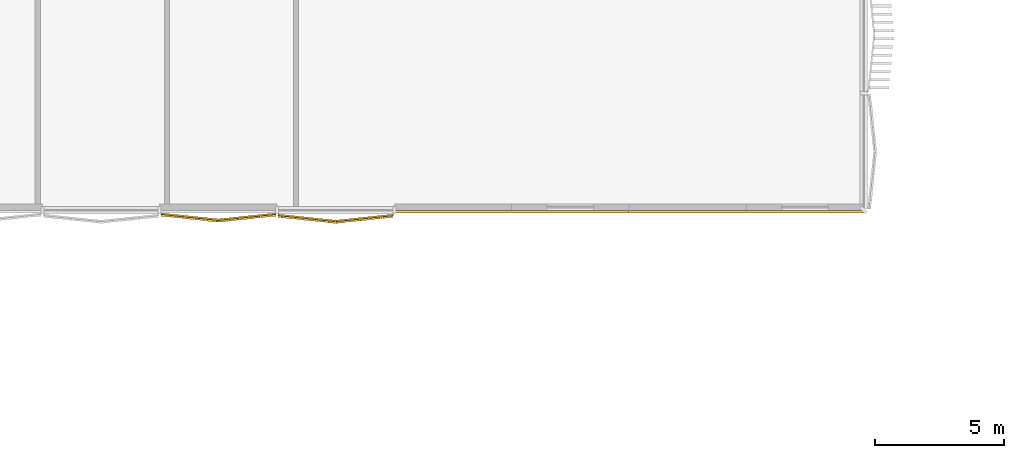
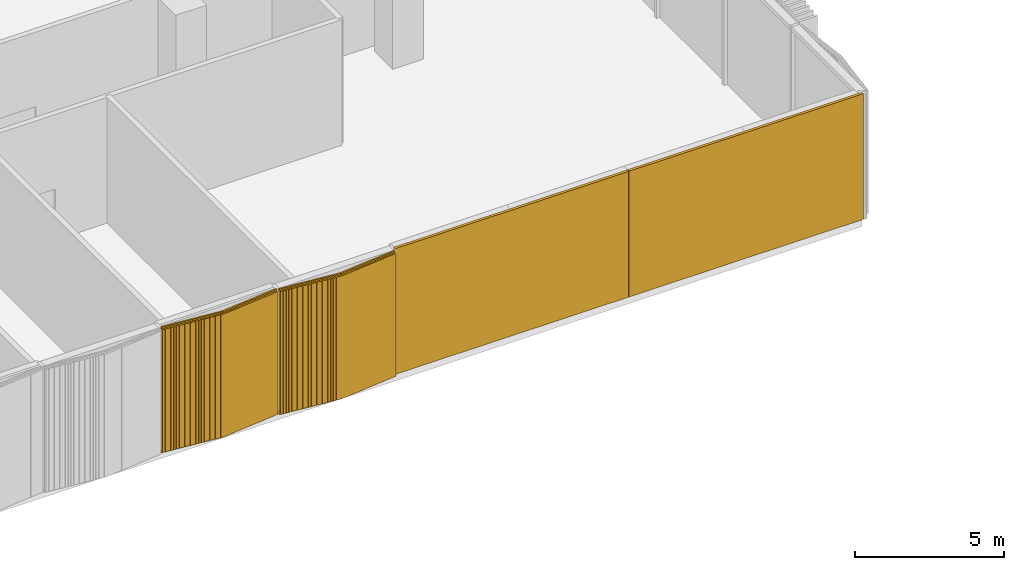
# One storey, part 23 of 31: 4 coverings.
"""IFC4 building model written with IfcOpenShell, lengths in metres."""

import ifcopenshell
import ifcopenshell.guid

model = None  # the IFC model being written
_history = None  # IfcOwnerHistory: only IFC2X3 demands one
_inside = {}  # id of a spatial element -> (the spatial element, [elements in it])
_under = {}  # id of a project, library or spatial element -> (it, [spatial elements below it])
_declared = {}  # id of a project -> (the project, [libraries it declares])
_typed = {}  # id of a type object -> (the type object, [elements of that type])
_made_of = {}  # id of a material, layer set ... -> (it, [elements and type objects made of it])


def new_model(schema):
    """Start an empty IFC model of exactly this schema.

    Asked for "IFC4X3", IfcOpenShell would pick the latest addendum, in which some entities
    have other attributes; the version numbers below select the first issue.
    IFC2X3 requires an IfcOwnerHistory on every rooted entity: one is made here for all.
    """
    global model, _history
    if schema == "IFC4X3":
        model = ifcopenshell.file(schema_version=(4, 3, 0, 0))
    else:
        model = ifcopenshell.file(schema=schema)
    _inside.clear()
    _under.clear()
    _declared.clear()
    _typed.clear()
    _made_of.clear()
    _history = None
    if model.schema == "IFC2X3":
        org = make("IfcOrganization", Name="unknown")
        user = make(
            "IfcPersonAndOrganization",
            ThePerson=make("IfcPerson", FamilyName="unknown"),
            TheOrganization=org,
        )
        app = make(
            "IfcApplication",
            ApplicationDeveloper=org,
            Version="unknown",
            ApplicationFullName="unknown",
            ApplicationIdentifier="unknown",
        )
        _history = make(
            "IfcOwnerHistory",
            OwningUser=user,
            OwningApplication=app,
            ChangeAction="ADDED",
            CreationDate=0,
        )
    return model


def make(cls, **values):
    """One entity of the class cls with the attributes given. An attribute that is None is left unset."""
    return model.create_entity(
        cls, **{name: value for name, value in values.items() if value is not None}
    )


def rooted(cls, **values):
    """An entity with a GlobalId (a new one), such as an element, a storey or a relation."""
    return make(cls, GlobalId=ifcopenshell.guid.new(), OwnerHistory=_history, **values)


def si_unit(unit_type, name, prefix=None):
    """IfcSIUnit, for example si_unit("LENGTHUNIT", "METRE", prefix="MILLI")."""
    return make("IfcSIUnit", UnitType=unit_type, Prefix=prefix, Name=name)


def assignment(units):
    """IfcUnitAssignment: the units of a project."""
    return None if units is None else make("IfcUnitAssignment", Units=units)


def point(xyz):
    """IfcCartesianPoint."""
    return None if xyz is None else make("IfcCartesianPoint", Coordinates=xyz)


def direction(xyz):
    """IfcDirection."""
    return None if xyz is None else make("IfcDirection", DirectionRatios=xyz)


def frame(location, z_axis=None, x_axis=None):
    """IfcAxis2Placement3D, a coordinate frame: its origin and axes. An axis left out is left unset."""
    return make(
        "IfcAxis2Placement3D",
        Location=point(location),
        Axis=direction(z_axis),
        RefDirection=direction(x_axis),
    )


def frame_2d(location, x_axis=None):
    """IfcAxis2Placement2D, a coordinate frame in the plane: its origin and x axis."""
    return make(
        "IfcAxis2Placement2D", Location=point(location), RefDirection=direction(x_axis)
    )


def origin():
    """The frame at (0, 0, 0) with its axes left unset."""
    return frame((0.0, 0.0, 0.0))


def origin_2d():
    """The frame at (0, 0) in the plane with its x axis left unset."""
    return frame_2d((0.0, 0.0))


def place(relative_to, where):
    """IfcLocalPlacement: puts the frame where relative to a parent placement (None: the world)."""
    return make(
        "IfcLocalPlacement", PlacementRelTo=relative_to, RelativePlacement=where
    )


def context(
    kind, dimensions, precision=None, world=None, true_north=None, identifier=None
):
    """IfcGeometricRepresentationContext, for example the 3D "Model" context."""
    return make(
        "IfcGeometricRepresentationContext",
        ContextIdentifier=identifier,
        ContextType=kind,
        CoordinateSpaceDimension=dimensions,
        Precision=precision,
        WorldCoordinateSystem=world,
        TrueNorth=true_north,
    )


def subcontext(parent, identifier, kind, view, scale=None):
    """IfcGeometricRepresentationSubContext, for example "Body" below "Model"."""
    return make(
        "IfcGeometricRepresentationSubContext",
        ContextIdentifier=identifier,
        ContextType=kind,
        ParentContext=parent,
        TargetScale=scale,
        TargetView=view,
    )


def project(units=None, contexts=None):
    """IfcProject with its units and contexts."""
    return rooted(
        "IfcProject",
        Name="project",
        RepresentationContexts=contexts,
        UnitsInContext=assignment(units),
    )


def spatial(cls, under=None, at=None, **own):
    """A site, building, storey or space (cls), placed at a placement, below another one or the project."""
    s = rooted(cls, ObjectPlacement=at, **own)
    if under is not None:
        _under.setdefault(under.id(), (under, []))[1].append(s)
    return s


def profile(cls, at=None, kind="AREA", **sizes):
    """A parametric profile (cls). Its sizes go by their IFC names, for example OverallWidth=200.0."""
    return make(cls, ProfileType=kind, Position=at, **sizes)


def rectangle(**sizes):
    """IfcRectangleProfileDef."""
    return profile("IfcRectangleProfileDef", **sizes)


def extrude(swept, where, along, depth):
    """IfcExtrudedAreaSolid: the profile swept, set in the frame where, extruded along a direction by depth."""
    return make(
        "IfcExtrudedAreaSolid",
        SweptArea=swept,
        Position=where,
        ExtrudedDirection=direction(along),
        Depth=depth,
    )


def shape(context_of_items, identifier, shape_type, items):
    """IfcShapeRepresentation: the items that make up one representation, for example the "Body"."""
    return make(
        "IfcShapeRepresentation",
        ContextOfItems=context_of_items,
        RepresentationIdentifier=identifier,
        RepresentationType=shape_type,
        Items=items,
    )


def source(mapping_origin, context_of_items, identifier, shape_type, items):
    """IfcRepresentationMap: a shape defined once, which mapped items show again and again."""
    return make(
        "IfcRepresentationMap",
        MappingOrigin=mapping_origin,
        MappedRepresentation=shape(context_of_items, identifier, shape_type, items),
    )


def transform(
    local_origin,
    x_axis=None,
    y_axis=None,
    z_axis=None,
    scale=None,
    scale2=None,
    scale3=None,
    uniform=True,
):
    """IfcCartesianTransformationOperator3D, or its non-uniform kind. x_axis, y_axis, z_axis: its Axis1, 2, 3."""
    if uniform:
        return make(
            "IfcCartesianTransformationOperator3D",
            Axis1=direction(x_axis),
            Axis2=direction(y_axis),
            LocalOrigin=point(local_origin),
            Scale=scale,
            Axis3=direction(z_axis),
        )
    return make(
        "IfcCartesianTransformationOperator3DnonUniform",
        Axis1=direction(x_axis),
        Axis2=direction(y_axis),
        LocalOrigin=point(local_origin),
        Scale=scale,
        Axis3=direction(z_axis),
        Scale2=scale2,
        Scale3=scale3,
    )


def mapped(mapping_source, mapping_target):
    """IfcMappedItem: shows the shape of a source again, moved by a transform."""
    return make(
        "IfcMappedItem", MappingSource=mapping_source, MappingTarget=mapping_target
    )


def material(Name=None, Category=None):
    """IfcMaterial."""
    return make("IfcMaterial", Name=Name, Category=Category)


def layer(
    of_material, thickness, ventilated=None, Name=None, Category=None, Priority=None
):
    """IfcMaterialLayer: one layer of a wall or slab, of a material (None: an air gap)."""
    return make(
        "IfcMaterialLayer",
        Material=of_material,
        LayerThickness=thickness,
        IsVentilated=ventilated,
        Name=Name,
        Category=Category,
        Priority=Priority,
    )


def layer_set(layers, Name=None):
    """IfcMaterialLayerSet."""
    return make("IfcMaterialLayerSet", MaterialLayers=layers, LayerSetName=Name)


def made_of(thing, what):
    """Note that an element or type object is made of a material, layer set ...; save() writes the relation."""
    if what is not None:
        _made_of.setdefault(what.id(), (what, []))[1].append(thing)
    return thing


def type_object(cls, material=None, **own):
    """A type object (cls), such as IfcWallType, which elements share."""
    return made_of(rooted(cls, **own), material)


def element(
    cls,
    number,
    at=None,
    inside=None,
    cuts=None,
    type_object=None,
    material=None,
    context=None,
    identifier="Body",
    shape_type=None,
    held_by="IfcProductDefinitionShape",
    body=None,
    shapes=None,
    **own,
):
    """One element of the class cls, such as IfcWall. Its Tag is "e" and its number.

    at: its placement. inside: the storey or other place that contains it. cuts: it is an
    opening in that element (IfcRelVoidsElement). A single representation is given by context,
    identifier, shape_type and body (its items); several are given by shapes. held_by: the class
    of the entity that holds the representations. save() writes the other relations.
    """
    e = rooted(cls, Tag="e%d" % number, ObjectPlacement=at, **own)
    if body is not None:
        shapes = [shape(context, identifier, shape_type, body)]
    if shapes is not None:
        e.Representation = make(held_by, Representations=shapes)
    if inside is not None:
        _inside.setdefault(inside.id(), (inside, []))[1].append(e)
    if cuts is not None:
        rooted(
            "IfcRelVoidsElement", RelatingBuildingElement=cuts, RelatedOpeningElement=e
        )
    if type_object is not None:
        _typed.setdefault(type_object.id(), (type_object, []))[1].append(e)
    return made_of(e, material)


def aggregate(whole, parts):
    """IfcRelAggregates: a whole, such as a stair, and the parts it consists of."""
    return rooted("IfcRelAggregates", RelatingObject=whole, RelatedObjects=parts)


def save(model, path):
    """Write the relations noted so far, then the file.

    IfcRelAggregates (storeys below a building ...), IfcRelContainedInSpatialStructure (elements
    in a storey), IfcRelDefinesByType, IfcRelAssociatesMaterial and IfcRelDeclares: one each for
    every whole, place, type object, material and project.
    """
    for whole, parts in _under.values():
        aggregate(whole, parts)
    for where, things in _inside.values():
        rooted(
            "IfcRelContainedInSpatialStructure",
            RelatedElements=things,
            RelatingStructure=where,
        )
    for kind, things in _typed.values():
        rooted("IfcRelDefinesByType", RelatedObjects=things, RelatingType=kind)
    for what, things in _made_of.values():
        rooted("IfcRelAssociatesMaterial", RelatedObjects=things, RelatingMaterial=what)
    for by, libraries in _declared.values():
        rooted("IfcRelDeclares", RelatingContext=by, RelatedDefinitions=libraries)
    model.write(path)


model = new_model("IFC4")

# Units and contexts
model_context = context("Model", 3, precision=1e-05, world=origin(), true_north=direction((0.0, 1.0)))
body_context = subcontext(model_context, "Body", "Model", "MODEL_VIEW")
ifc_project = project(units=[si_unit("LENGTHUNIT", "METRE"), si_unit("AREAUNIT", "SQUARE_METRE"), si_unit("VOLUMEUNIT", "CUBIC_METRE"), si_unit("PLANEANGLEUNIT", "RADIAN"), si_unit("MASSUNIT", "GRAM", prefix="KILO")], contexts=[model_context])

# Site, building, storey
site_placement = place(None, origin())
site = spatial("IfcSite", under=ifc_project, at=site_placement, CompositionType="ELEMENT")
building_placement = place(site_placement, origin())
building = spatial("IfcBuilding", under=site, at=building_placement, Name="Tamra Quay Hotel Tower", CompositionType="ELEMENT")
storey_placement = place(building_placement, frame((0.0, 0.0, 14.0)))
storey = spatial("IfcBuildingStorey", under=building, at=storey_placement, Name="L02", CompositionType="ELEMENT", Elevation=14.0)

# Coverings
ifc_material_1 = material(Name="Precast concrete M60 terracotta-coloured pierced relief", Category="masonry")
ifc_layer = layer(ifc_material_1, 0.10009765625)
ifc_layer_set = layer_set([ifc_layer], Name="PIERCED RELIEF PANEL 100")
covering_type_1 = type_object("IfcCoveringType", Name="PIERCED RELIEF PANEL 100", PredefinedType="CLADDING", material=ifc_layer_set)
for number, where, z_axis, x_axis, name in (
    (1, (-43.638427734375, -32.050048828125, 0.0), (0.0, 0.0, 1.0), (1.0, 0.0, 0.0), "Relief panel L02.SW.19"),
    (2, (-34.546142578125, -32.050048828125, 0.0), (0.0, 0.0, 1.0), (1.0, 0.0, 0.0), "Relief panel L02.SW.21"),
):
    element("IfcCovering", number, at=place(storey_placement, frame(where, z_axis=z_axis, x_axis=x_axis)), inside=storey, type_object=covering_type_1, Name=name, PredefinedType="CLADDING", context=body_context, shape_type="SweptSolid", body=[
        extrude(rectangle(XDim=9.072265625, YDim=0.10009765625, at=origin_2d()), origin(), (0.0, 0.0, 1.0), 5.14990234375),
    ])
ifc_material_2 = material(Name="Terracotta baguette extruded", Category="masonry")
covering_type_2 = type_object("IfcCoveringType", Name="BAGUETTE SCREEN PODIUM-SHALLOW H5150", PredefinedType="USERDEFINED", material=ifc_material_2)
shared_shape_1 = source(origin(), body_context, "Body", "SweptSolid", [
    extrude(rectangle(XDim=2.244873046875, YDim=0.06005859375, at=frame_2d((1.12255859375, 0.030029296875))), frame((-2.23876953125, -0.0576171875, -0.1201171875), z_axis=(0.0, 0.0, 1.0), x_axis=(0.994521895368, -0.104528463268, 0.0)), (0.0, 0.0, 1.0), 0.1201171875),
    extrude(rectangle(XDim=2.244873046875, YDim=0.06005859375, at=frame_2d((1.12255859375, 0.030029296875))), frame((-2.23876953125, -0.0576171875, -5.14990234375), z_axis=(0.0, 0.0, 1.0), x_axis=(0.994521895368, -0.104528463268, 0.0)), (0.0, 0.0, 1.0), 0.1201171875),
    extrude(rectangle(XDim=0.094970703125, YDim=0.10009765625, at=frame_2d((0.04736328125, 0.050048828125))), frame((-2.229248046875, -0.13330078125, -5.090087890625)), (0.0, 0.0, 1.0), 5.030029296875),
    extrude(rectangle(XDim=0.094970703125, YDim=0.10009765625, at=frame_2d((0.04736328125, 0.050048828125))), frame((-2.127685546875, -0.14404296875, -5.090087890625)), (0.0, 0.0, 1.0), 5.030029296875),
    extrude(rectangle(XDim=0.094970703125, YDim=0.10009765625, at=frame_2d((0.04736328125, 0.050048828125))), frame((-2.0263671875, -0.154541015625, -5.090087890625)), (0.0, 0.0, 1.0), 5.030029296875),
    extrude(rectangle(XDim=0.094970703125, YDim=0.10009765625, at=frame_2d((0.04736328125, 0.050048828125))), frame((-1.9248046875, -0.165283203125, -5.090087890625)), (0.0, 0.0, 1.0), 5.030029296875),
    extrude(rectangle(XDim=0.094970703125, YDim=0.10009765625, at=frame_2d((0.04736328125, 0.050048828125))), frame((-1.8232421875, -0.176025390625, -5.090087890625)), (0.0, 0.0, 1.0), 5.030029296875),
    extrude(rectangle(XDim=0.094970703125, YDim=0.10009765625, at=frame_2d((0.04736328125, 0.050048828125))), frame((-1.721923828125, -0.186767578125, -5.090087890625)), (0.0, 0.0, 1.0), 5.030029296875),
    extrude(rectangle(XDim=0.094970703125, YDim=0.10009765625, at=frame_2d((0.04736328125, 0.050048828125))), frame((-1.620361328125, -0.197265625, -5.090087890625)), (0.0, 0.0, 1.0), 5.030029296875),
    extrude(rectangle(XDim=0.094970703125, YDim=0.10009765625, at=frame_2d((0.04736328125, 0.050048828125))), frame((-1.518798828125, -0.2080078125, -5.090087890625)), (0.0, 0.0, 1.0), 5.030029296875),
    extrude(rectangle(XDim=0.094970703125, YDim=0.10009765625, at=frame_2d((0.04736328125, 0.050048828125))), frame((-1.41748046875, -0.21875, -5.090087890625)), (0.0, 0.0, 1.0), 5.030029296875),
    extrude(rectangle(XDim=0.094970703125, YDim=0.10009765625, at=frame_2d((0.04736328125, 0.050048828125))), frame((-1.31591796875, -0.229248046875, -5.090087890625)), (0.0, 0.0, 1.0), 5.030029296875),
    extrude(rectangle(XDim=0.094970703125, YDim=0.10009765625, at=frame_2d((0.04736328125, 0.050048828125))), frame((-1.214599609375, -0.239990234375, -5.090087890625)), (0.0, 0.0, 1.0), 5.030029296875),
    extrude(rectangle(XDim=0.094970703125, YDim=0.10009765625, at=frame_2d((0.04736328125, 0.050048828125))), frame((-1.113037109375, -0.250732421875, -5.090087890625)), (0.0, 0.0, 1.0), 5.030029296875),
    extrude(rectangle(XDim=0.094970703125, YDim=0.10009765625, at=frame_2d((0.04736328125, 0.050048828125))), frame((-1.011474609375, -0.26123046875, -5.090087890625)), (0.0, 0.0, 1.0), 5.030029296875),
    extrude(rectangle(XDim=0.094970703125, YDim=0.10009765625, at=frame_2d((0.04736328125, 0.050048828125))), frame((-0.91015625, -0.27197265625, -5.090087890625)), (0.0, 0.0, 1.0), 5.030029296875),
    extrude(rectangle(XDim=0.094970703125, YDim=0.10009765625, at=frame_2d((0.04736328125, 0.050048828125))), frame((-0.80859375, -0.28271484375, -5.090087890625)), (0.0, 0.0, 1.0), 5.030029296875),
    extrude(rectangle(XDim=0.094970703125, YDim=0.10009765625, at=frame_2d((0.04736328125, 0.050048828125))), frame((-0.70703125, -0.293212890625, -5.090087890625)), (0.0, 0.0, 1.0), 5.030029296875),
    extrude(rectangle(XDim=0.094970703125, YDim=0.10009765625, at=frame_2d((0.04736328125, 0.050048828125))), frame((-0.605712890625, -0.303955078125, -5.090087890625)), (0.0, 0.0, 1.0), 5.030029296875),
    extrude(rectangle(XDim=0.094970703125, YDim=0.10009765625, at=frame_2d((0.04736328125, 0.050048828125))), frame((-0.504150390625, -0.314697265625, -5.090087890625)), (0.0, 0.0, 1.0), 5.030029296875),
    extrude(rectangle(XDim=0.094970703125, YDim=0.10009765625, at=frame_2d((0.04736328125, 0.050048828125))), frame((-0.402587890625, -0.325439453125, -5.090087890625)), (0.0, 0.0, 1.0), 5.030029296875),
    extrude(rectangle(XDim=0.094970703125, YDim=0.10009765625, at=frame_2d((0.04736328125, 0.050048828125))), frame((-0.30126953125, -0.3359375, -5.090087890625)), (0.0, 0.0, 1.0), 5.030029296875),
    extrude(rectangle(XDim=0.094970703125, YDim=0.10009765625, at=frame_2d((0.04736328125, 0.050048828125))), frame((-0.19970703125, -0.3466796875, -5.090087890625)), (0.0, 0.0, 1.0), 5.030029296875),
    extrude(rectangle(XDim=0.094970703125, YDim=0.10009765625, at=frame_2d((0.04736328125, 0.050048828125))), frame((-0.09814453125, -0.357421875, -5.090087890625)), (0.0, 0.0, 1.0), 5.030029296875),
    extrude(rectangle(XDim=2.244873046875, YDim=0.06005859375, at=frame_2d((1.12255859375, 0.030029296875))), frame((0.00634765625, -0.292236328125, -0.1201171875), z_axis=(0.0, 0.0, 1.0), x_axis=(0.994521895368, 0.104528463268, 0.0)), (0.0, 0.0, 1.0), 0.1201171875),
    extrude(rectangle(XDim=2.244873046875, YDim=0.06005859375, at=frame_2d((1.12255859375, 0.030029296875))), frame((0.00634765625, -0.292236328125, -5.14990234375), z_axis=(0.0, 0.0, 1.0), x_axis=(0.994521895368, 0.104528463268, 0.0)), (0.0, 0.0, 1.0), 0.1201171875),
    extrude(rectangle(XDim=0.094970703125, YDim=0.10009765625, at=frame_2d((0.04736328125, 0.050048828125))), frame((0.003173828125, -0.357421875, -5.090087890625)), (0.0, 0.0, 1.0), 5.030029296875),
    extrude(rectangle(XDim=0.094970703125, YDim=0.10009765625, at=frame_2d((0.04736328125, 0.050048828125))), frame((0.104736328125, -0.3466796875, -5.090087890625)), (0.0, 0.0, 1.0), 5.030029296875),
    extrude(rectangle(XDim=0.094970703125, YDim=0.10009765625, at=frame_2d((0.04736328125, 0.050048828125))), frame((0.206298828125, -0.3359375, -5.090087890625)), (0.0, 0.0, 1.0), 5.030029296875),
    extrude(rectangle(XDim=0.094970703125, YDim=0.10009765625, at=frame_2d((0.04736328125, 0.050048828125))), frame((0.3076171875, -0.325439453125, -5.090087890625)), (0.0, 0.0, 1.0), 5.030029296875),
    extrude(rectangle(XDim=0.094970703125, YDim=0.10009765625, at=frame_2d((0.04736328125, 0.050048828125))), frame((0.4091796875, -0.314697265625, -5.090087890625)), (0.0, 0.0, 1.0), 5.030029296875),
    extrude(rectangle(XDim=0.094970703125, YDim=0.10009765625, at=frame_2d((0.04736328125, 0.050048828125))), frame((0.510498046875, -0.303955078125, -5.090087890625)), (0.0, 0.0, 1.0), 5.030029296875),
    extrude(rectangle(XDim=0.094970703125, YDim=0.10009765625, at=frame_2d((0.04736328125, 0.050048828125))), frame((0.612060546875, -0.293212890625, -5.090087890625)), (0.0, 0.0, 1.0), 5.030029296875),
    extrude(rectangle(XDim=0.094970703125, YDim=0.10009765625, at=frame_2d((0.04736328125, 0.050048828125))), frame((0.713623046875, -0.28271484375, -5.090087890625)), (0.0, 0.0, 1.0), 5.030029296875),
    extrude(rectangle(XDim=0.094970703125, YDim=0.10009765625, at=frame_2d((0.04736328125, 0.050048828125))), frame((0.81494140625, -0.27197265625, -5.090087890625)), (0.0, 0.0, 1.0), 5.030029296875),
    extrude(rectangle(XDim=0.094970703125, YDim=0.10009765625, at=frame_2d((0.04736328125, 0.050048828125))), frame((0.91650390625, -0.26123046875, -5.090087890625)), (0.0, 0.0, 1.0), 5.030029296875),
    extrude(rectangle(XDim=0.094970703125, YDim=0.10009765625, at=frame_2d((0.04736328125, 0.050048828125))), frame((1.01806640625, -0.250732421875, -5.090087890625)), (0.0, 0.0, 1.0), 5.030029296875),
    extrude(rectangle(XDim=0.094970703125, YDim=0.10009765625, at=frame_2d((0.04736328125, 0.050048828125))), frame((1.119384765625, -0.239990234375, -5.090087890625)), (0.0, 0.0, 1.0), 5.030029296875),
    extrude(rectangle(XDim=0.094970703125, YDim=0.10009765625, at=frame_2d((0.04736328125, 0.050048828125))), frame((1.220947265625, -0.229248046875, -5.090087890625)), (0.0, 0.0, 1.0), 5.030029296875),
    extrude(rectangle(XDim=0.094970703125, YDim=0.10009765625, at=frame_2d((0.04736328125, 0.050048828125))), frame((1.322509765625, -0.21875, -5.090087890625)), (0.0, 0.0, 1.0), 5.030029296875),
    extrude(rectangle(XDim=0.094970703125, YDim=0.10009765625, at=frame_2d((0.04736328125, 0.050048828125))), frame((1.423828125, -0.2080078125, -5.090087890625)), (0.0, 0.0, 1.0), 5.030029296875),
    extrude(rectangle(XDim=0.094970703125, YDim=0.10009765625, at=frame_2d((0.04736328125, 0.050048828125))), frame((1.525390625, -0.197265625, -5.090087890625)), (0.0, 0.0, 1.0), 5.030029296875),
    extrude(rectangle(XDim=0.094970703125, YDim=0.10009765625, at=frame_2d((0.04736328125, 0.050048828125))), frame((1.626953125, -0.186767578125, -5.090087890625)), (0.0, 0.0, 1.0), 5.030029296875),
    extrude(rectangle(XDim=0.094970703125, YDim=0.10009765625, at=frame_2d((0.04736328125, 0.050048828125))), frame((1.728271484375, -0.176025390625, -5.090087890625)), (0.0, 0.0, 1.0), 5.030029296875),
    extrude(rectangle(XDim=0.094970703125, YDim=0.10009765625, at=frame_2d((0.04736328125, 0.050048828125))), frame((1.829833984375, -0.165283203125, -5.090087890625)), (0.0, 0.0, 1.0), 5.030029296875),
    extrude(rectangle(XDim=0.094970703125, YDim=0.10009765625, at=frame_2d((0.04736328125, 0.050048828125))), frame((1.931396484375, -0.154541015625, -5.090087890625)), (0.0, 0.0, 1.0), 5.030029296875),
    extrude(rectangle(XDim=0.094970703125, YDim=0.10009765625, at=frame_2d((0.04736328125, 0.050048828125))), frame((2.03271484375, -0.14404296875, -5.090087890625)), (0.0, 0.0, 1.0), 5.030029296875),
    extrude(rectangle(XDim=0.094970703125, YDim=0.10009765625, at=frame_2d((0.04736328125, 0.050048828125))), frame((2.13427734375, -0.13330078125, -5.090087890625)), (0.0, 0.0, 1.0), 5.030029296875),
])
covering_1_placement = place(storey_placement, frame((-50.457763671875, -32.14794921875, 5.14990234375), z_axis=(0.0, 0.0, 1.0), x_axis=(1.0, 0.0, 0.0)))
element("IfcCovering", 3, at=covering_1_placement, inside=storey, type_object=covering_type_2, Name="Baguette screen L02.SW.f03", ObjectType="BAGUETTE SCREEN", PredefinedType="USERDEFINED", context=body_context, shape_type="MappedRepresentation", body=[
    mapped(shared_shape_1, transform((0.0, 0.0, 0.0), scale=1.0)),
])
covering_type_3 = type_object("IfcCoveringType", Name="BAGUETTE SCREEN SW-SHALLOW H5150", PredefinedType="USERDEFINED", material=ifc_material_2)
shared_shape_2 = source(origin(), body_context, "Body", "SweptSolid", [
    extrude(rectangle(XDim=2.244873046875, YDim=0.06005859375, at=frame_2d((1.12255859375, 0.030029296875))), frame((-2.23876953125, -0.0576171875, -0.1201171875), z_axis=(0.0, 0.0, 1.0), x_axis=(0.994521895368, -0.104528463268, 0.0)), (0.0, 0.0, 1.0), 0.1201171875),
    extrude(rectangle(XDim=2.244873046875, YDim=0.06005859375, at=frame_2d((1.12255859375, 0.030029296875))), frame((-2.23876953125, -0.0576171875, -5.14990234375), z_axis=(0.0, 0.0, 1.0), x_axis=(0.994521895368, -0.104528463268, 0.0)), (0.0, 0.0, 1.0), 0.1201171875),
    extrude(rectangle(XDim=0.094970703125, YDim=0.10009765625, at=frame_2d((0.04736328125, 0.050048828125))), frame((-2.229248046875, -0.13330078125, -5.090087890625)), (0.0, 0.0, 1.0), 5.030029296875),
    extrude(rectangle(XDim=0.094970703125, YDim=0.10009765625, at=frame_2d((0.04736328125, 0.050048828125))), frame((-2.127685546875, -0.14404296875, -5.090087890625)), (0.0, 0.0, 1.0), 5.030029296875),
    extrude(rectangle(XDim=0.094970703125, YDim=0.10009765625, at=frame_2d((0.04736328125, 0.050048828125))), frame((-2.0263671875, -0.154541015625, -5.090087890625)), (0.0, 0.0, 1.0), 5.030029296875),
    extrude(rectangle(XDim=0.094970703125, YDim=0.10009765625, at=frame_2d((0.04736328125, 0.050048828125))), frame((-1.9248046875, -0.165283203125, -5.090087890625)), (0.0, 0.0, 1.0), 5.030029296875),
    extrude(rectangle(XDim=0.094970703125, YDim=0.10009765625, at=frame_2d((0.04736328125, 0.050048828125))), frame((-1.8232421875, -0.176025390625, -5.090087890625)), (0.0, 0.0, 1.0), 5.030029296875),
    extrude(rectangle(XDim=0.094970703125, YDim=0.10009765625, at=frame_2d((0.04736328125, 0.050048828125))), frame((-1.721923828125, -0.186767578125, -5.090087890625)), (0.0, 0.0, 1.0), 5.030029296875),
    extrude(rectangle(XDim=0.094970703125, YDim=0.10009765625, at=frame_2d((0.04736328125, 0.050048828125))), frame((-1.620361328125, -0.197265625, -5.090087890625)), (0.0, 0.0, 1.0), 5.030029296875),
    extrude(rectangle(XDim=0.094970703125, YDim=0.10009765625, at=frame_2d((0.04736328125, 0.050048828125))), frame((-1.518798828125, -0.2080078125, -5.090087890625)), (0.0, 0.0, 1.0), 5.030029296875),
    extrude(rectangle(XDim=0.094970703125, YDim=0.10009765625, at=frame_2d((0.04736328125, 0.050048828125))), frame((-1.41748046875, -0.21875, -5.090087890625)), (0.0, 0.0, 1.0), 5.030029296875),
    extrude(rectangle(XDim=0.094970703125, YDim=0.10009765625, at=frame_2d((0.04736328125, 0.050048828125))), frame((-1.31591796875, -0.229248046875, -5.090087890625)), (0.0, 0.0, 1.0), 5.030029296875),
    extrude(rectangle(XDim=0.094970703125, YDim=0.10009765625, at=frame_2d((0.04736328125, 0.050048828125))), frame((-1.214599609375, -0.239990234375, -5.090087890625)), (0.0, 0.0, 1.0), 5.030029296875),
    extrude(rectangle(XDim=0.094970703125, YDim=0.10009765625, at=frame_2d((0.04736328125, 0.050048828125))), frame((-1.113037109375, -0.250732421875, -5.090087890625)), (0.0, 0.0, 1.0), 5.030029296875),
    extrude(rectangle(XDim=0.094970703125, YDim=0.10009765625, at=frame_2d((0.04736328125, 0.050048828125))), frame((-1.011474609375, -0.26123046875, -5.090087890625)), (0.0, 0.0, 1.0), 5.030029296875),
    extrude(rectangle(XDim=0.094970703125, YDim=0.10009765625, at=frame_2d((0.04736328125, 0.050048828125))), frame((-0.91015625, -0.27197265625, -5.090087890625)), (0.0, 0.0, 1.0), 5.030029296875),
    extrude(rectangle(XDim=0.094970703125, YDim=0.10009765625, at=frame_2d((0.04736328125, 0.050048828125))), frame((-0.80859375, -0.28271484375, -5.090087890625)), (0.0, 0.0, 1.0), 5.030029296875),
    extrude(rectangle(XDim=0.094970703125, YDim=0.10009765625, at=frame_2d((0.04736328125, 0.050048828125))), frame((-0.70703125, -0.293212890625, -5.090087890625)), (0.0, 0.0, 1.0), 5.030029296875),
    extrude(rectangle(XDim=0.094970703125, YDim=0.10009765625, at=frame_2d((0.04736328125, 0.050048828125))), frame((-0.605712890625, -0.303955078125, -5.090087890625)), (0.0, 0.0, 1.0), 5.030029296875),
    extrude(rectangle(XDim=0.094970703125, YDim=0.10009765625, at=frame_2d((0.04736328125, 0.050048828125))), frame((-0.504150390625, -0.314697265625, -5.090087890625)), (0.0, 0.0, 1.0), 5.030029296875),
    extrude(rectangle(XDim=0.094970703125, YDim=0.10009765625, at=frame_2d((0.04736328125, 0.050048828125))), frame((-0.402587890625, -0.325439453125, -5.090087890625)), (0.0, 0.0, 1.0), 5.030029296875),
    extrude(rectangle(XDim=0.094970703125, YDim=0.10009765625, at=frame_2d((0.04736328125, 0.050048828125))), frame((-0.30126953125, -0.3359375, -5.090087890625)), (0.0, 0.0, 1.0), 5.030029296875),
    extrude(rectangle(XDim=0.094970703125, YDim=0.10009765625, at=frame_2d((0.04736328125, 0.050048828125))), frame((-0.19970703125, -0.3466796875, -5.090087890625)), (0.0, 0.0, 1.0), 5.030029296875),
    extrude(rectangle(XDim=0.094970703125, YDim=0.10009765625, at=frame_2d((0.04736328125, 0.050048828125))), frame((-0.09814453125, -0.357421875, -5.090087890625)), (0.0, 0.0, 1.0), 5.030029296875),
    extrude(rectangle(XDim=2.244873046875, YDim=0.06005859375, at=frame_2d((1.12255859375, 0.030029296875))), frame((0.00634765625, -0.292236328125, -0.1201171875), z_axis=(0.0, 0.0, 1.0), x_axis=(0.994521895368, 0.104528463268, 0.0)), (0.0, 0.0, 1.0), 0.1201171875),
    extrude(rectangle(XDim=2.244873046875, YDim=0.06005859375, at=frame_2d((1.12255859375, 0.030029296875))), frame((0.00634765625, -0.292236328125, -5.14990234375), z_axis=(0.0, 0.0, 1.0), x_axis=(0.994521895368, 0.104528463268, 0.0)), (0.0, 0.0, 1.0), 0.1201171875),
    extrude(rectangle(XDim=0.094970703125, YDim=0.10009765625, at=frame_2d((0.04736328125, 0.050048828125))), frame((0.003173828125, -0.357421875, -5.090087890625)), (0.0, 0.0, 1.0), 5.030029296875),
    extrude(rectangle(XDim=0.094970703125, YDim=0.10009765625, at=frame_2d((0.04736328125, 0.050048828125))), frame((0.104736328125, -0.3466796875, -5.090087890625)), (0.0, 0.0, 1.0), 5.030029296875),
    extrude(rectangle(XDim=0.094970703125, YDim=0.10009765625, at=frame_2d((0.04736328125, 0.050048828125))), frame((0.206298828125, -0.3359375, -5.090087890625)), (0.0, 0.0, 1.0), 5.030029296875),
    extrude(rectangle(XDim=0.094970703125, YDim=0.10009765625, at=frame_2d((0.04736328125, 0.050048828125))), frame((0.3076171875, -0.325439453125, -5.090087890625)), (0.0, 0.0, 1.0), 5.030029296875),
    extrude(rectangle(XDim=0.094970703125, YDim=0.10009765625, at=frame_2d((0.04736328125, 0.050048828125))), frame((0.4091796875, -0.314697265625, -5.090087890625)), (0.0, 0.0, 1.0), 5.030029296875),
    extrude(rectangle(XDim=0.094970703125, YDim=0.10009765625, at=frame_2d((0.04736328125, 0.050048828125))), frame((0.510498046875, -0.303955078125, -5.090087890625)), (0.0, 0.0, 1.0), 5.030029296875),
    extrude(rectangle(XDim=0.094970703125, YDim=0.10009765625, at=frame_2d((0.04736328125, 0.050048828125))), frame((0.612060546875, -0.293212890625, -5.090087890625)), (0.0, 0.0, 1.0), 5.030029296875),
    extrude(rectangle(XDim=0.094970703125, YDim=0.10009765625, at=frame_2d((0.04736328125, 0.050048828125))), frame((0.713623046875, -0.28271484375, -5.090087890625)), (0.0, 0.0, 1.0), 5.030029296875),
    extrude(rectangle(XDim=0.094970703125, YDim=0.10009765625, at=frame_2d((0.04736328125, 0.050048828125))), frame((0.81494140625, -0.27197265625, -5.090087890625)), (0.0, 0.0, 1.0), 5.030029296875),
    extrude(rectangle(XDim=0.094970703125, YDim=0.10009765625, at=frame_2d((0.04736328125, 0.050048828125))), frame((0.91650390625, -0.26123046875, -5.090087890625)), (0.0, 0.0, 1.0), 5.030029296875),
    extrude(rectangle(XDim=0.094970703125, YDim=0.10009765625, at=frame_2d((0.04736328125, 0.050048828125))), frame((1.01806640625, -0.250732421875, -5.090087890625)), (0.0, 0.0, 1.0), 5.030029296875),
    extrude(rectangle(XDim=0.094970703125, YDim=0.10009765625, at=frame_2d((0.04736328125, 0.050048828125))), frame((1.119384765625, -0.239990234375, -5.090087890625)), (0.0, 0.0, 1.0), 5.030029296875),
    extrude(rectangle(XDim=0.094970703125, YDim=0.10009765625, at=frame_2d((0.04736328125, 0.050048828125))), frame((1.220947265625, -0.229248046875, -5.090087890625)), (0.0, 0.0, 1.0), 5.030029296875),
    extrude(rectangle(XDim=0.094970703125, YDim=0.10009765625, at=frame_2d((0.04736328125, 0.050048828125))), frame((1.322509765625, -0.21875, -5.090087890625)), (0.0, 0.0, 1.0), 5.030029296875),
    extrude(rectangle(XDim=0.094970703125, YDim=0.10009765625, at=frame_2d((0.04736328125, 0.050048828125))), frame((1.423828125, -0.2080078125, -5.090087890625)), (0.0, 0.0, 1.0), 5.030029296875),
    extrude(rectangle(XDim=0.094970703125, YDim=0.10009765625, at=frame_2d((0.04736328125, 0.050048828125))), frame((1.525390625, -0.197265625, -5.090087890625)), (0.0, 0.0, 1.0), 5.030029296875),
    extrude(rectangle(XDim=0.094970703125, YDim=0.10009765625, at=frame_2d((0.04736328125, 0.050048828125))), frame((1.626953125, -0.186767578125, -5.090087890625)), (0.0, 0.0, 1.0), 5.030029296875),
    extrude(rectangle(XDim=0.094970703125, YDim=0.10009765625, at=frame_2d((0.04736328125, 0.050048828125))), frame((1.728271484375, -0.176025390625, -5.090087890625)), (0.0, 0.0, 1.0), 5.030029296875),
    extrude(rectangle(XDim=0.094970703125, YDim=0.10009765625, at=frame_2d((0.04736328125, 0.050048828125))), frame((1.829833984375, -0.165283203125, -5.090087890625)), (0.0, 0.0, 1.0), 5.030029296875),
    extrude(rectangle(XDim=0.094970703125, YDim=0.10009765625, at=frame_2d((0.04736328125, 0.050048828125))), frame((1.931396484375, -0.154541015625, -5.090087890625)), (0.0, 0.0, 1.0), 5.030029296875),
    extrude(rectangle(XDim=0.094970703125, YDim=0.10009765625, at=frame_2d((0.04736328125, 0.050048828125))), frame((2.03271484375, -0.14404296875, -5.090087890625)), (0.0, 0.0, 1.0), 5.030029296875),
    extrude(rectangle(XDim=0.094970703125, YDim=0.10009765625, at=frame_2d((0.04736328125, 0.050048828125))), frame((2.13427734375, -0.13330078125, -5.090087890625)), (0.0, 0.0, 1.0), 5.030029296875),
])
covering_2_placement = place(storey_placement, frame((-55.00390625, -32.10009765625, 5.14990234375), z_axis=(0.0, 0.0, 1.0), x_axis=(1.0, 0.0, 0.0)))
element("IfcCovering", 4, at=covering_2_placement, inside=storey, type_object=covering_type_3, Name="Baguette screen wing.L02.SW.17", ObjectType="BAGUETTE SCREEN", PredefinedType="USERDEFINED", context=body_context, shape_type="MappedRepresentation", body=[
    mapped(shared_shape_2, transform((0.0, 0.0, 0.0), scale=1.0)),
])

save(model, "model.ifc")
